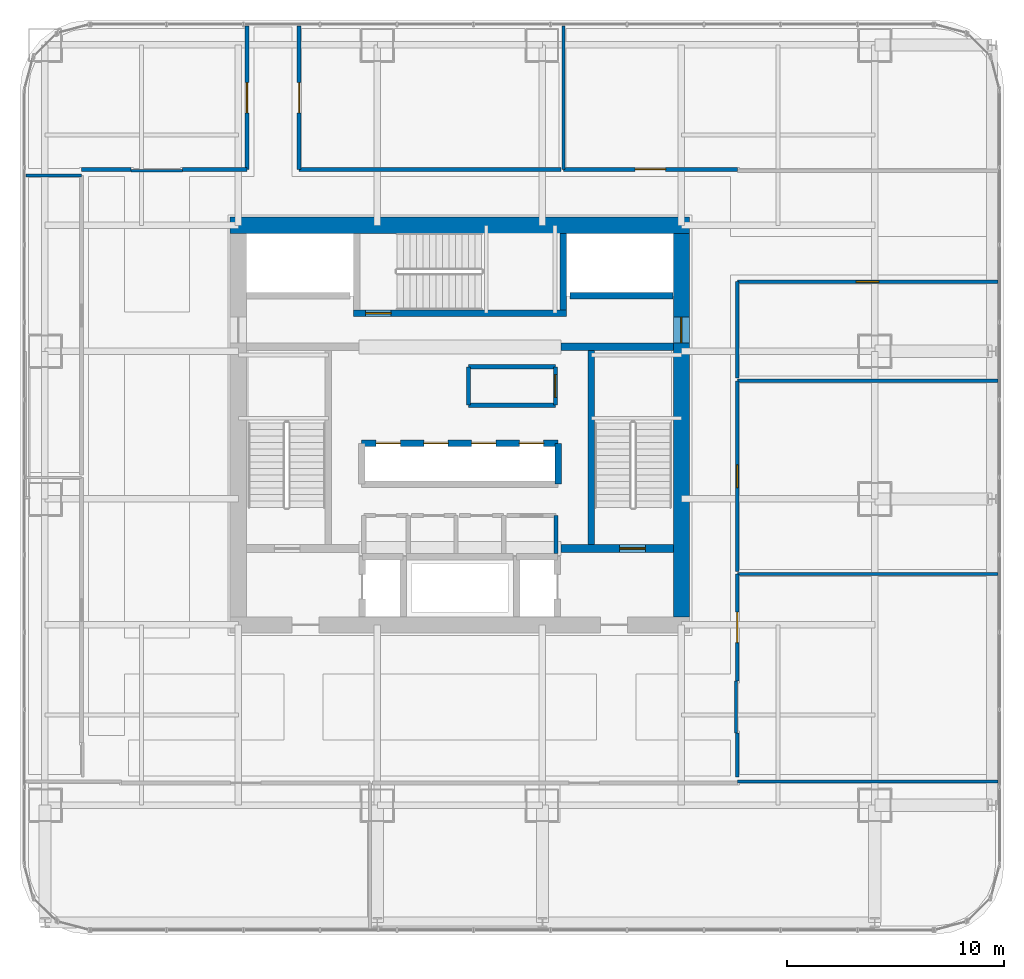
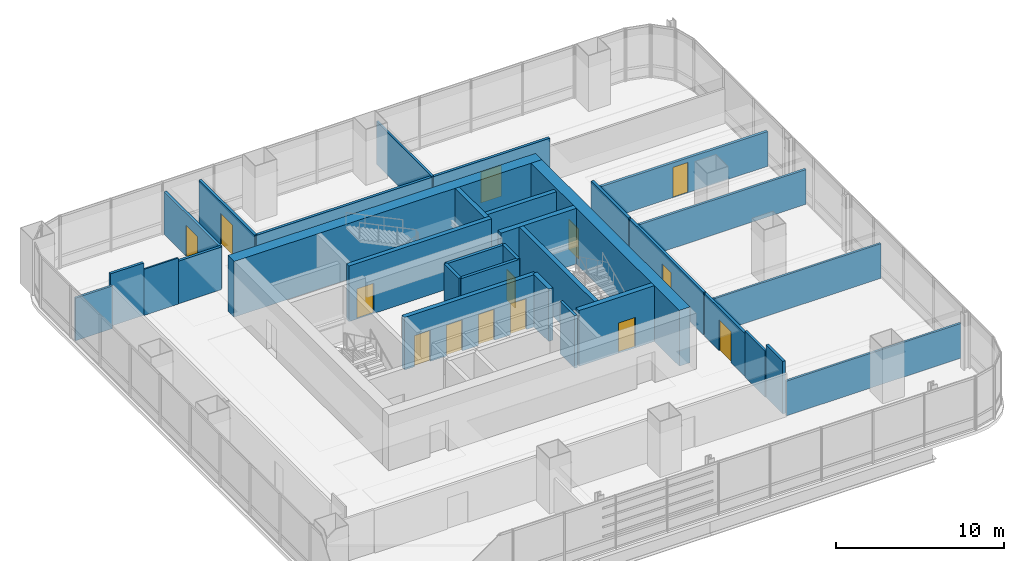
# One storey, part 28 of 35: 33 walls, 14 doors, 14 openings.
"""IFC4 building model written with IfcOpenShell, lengths in metres."""

from ifc_helpers import new_model, si_unit, direction, frame, frame_2d, origin, place, context, subcontext, project, spatial, rectangle, extrude, material, layer, layer_set, type_object, element, fill, save


model = new_model("IFC4")

# Units and contexts
model_context = context("Model", 3, precision=1e-05, world=origin(), true_north=direction((0.0, 1.0)))
body_context = subcontext(model_context, "Body", "Model", "MODEL_VIEW")
ifc_project = project(units=[si_unit("LENGTHUNIT", "METRE"), si_unit("AREAUNIT", "SQUARE_METRE"), si_unit("VOLUMEUNIT", "CUBIC_METRE"), si_unit("PLANEANGLEUNIT", "RADIAN"), si_unit("MASSUNIT", "GRAM", prefix="KILO")], contexts=[model_context])

# Site, building, storey
site_placement = place(None, origin())
site = spatial("IfcSite", under=ifc_project, at=site_placement, CompositionType="ELEMENT")
building_placement = place(site_placement, origin())
building = spatial("IfcBuilding", under=site, at=building_placement, Name="Punatoya Terracotta Tower", CompositionType="ELEMENT")
storey_placement = place(building_placement, frame((0.0, 0.0, 64.64990234375)))
storey = spatial("IfcBuildingStorey", under=building, at=storey_placement, Name="L14", CompositionType="ELEMENT", Elevation=64.64990234375)

# Wall
ifc_material_1 = material(Name="Concrete C60/75", Category="concrete")
ifc_layer_1 = layer(ifc_material_1, 0.75)
ifc_layer_set_1 = layer_set([ifc_layer_1], Name="Concrete C60/75")
wall_type_1 = type_object("IfcWallType", Name="WL-COR-750", PredefinedType="SHEAR", material=ifc_layer_set_1)
wall_1_placement = place(storey_placement, frame((-10.574951171875, 9.199951171875, 0.0), z_axis=(0.0, 0.0, 1.0), x_axis=(1.0, 0.0, 0.0)))
element("IfcWall", 1, at=wall_1_placement, inside=storey, type_object=wall_type_1, Name="L14 Core Shear Wall N", PredefinedType="SHEAR", context=body_context, shape_type="SweptSolid", body=[
    extrude(rectangle(XDim=21.14990234375, YDim=0.75, at=frame_2d((10.574951171875, 0.0))), origin(), (0.0, 0.0, 1.0), 4.050048828125),
])

# Wall, opening, door
wall_2_placement = place(storey_placement, frame((10.199951171875, 8.824951171875, 0.0), z_axis=(0.0, 0.0, 1.0), x_axis=(0.0, -1.0, 0.0)))
wall_2 = element("IfcWall", 2, at=wall_2_placement, inside=storey, type_object=wall_type_1, Name="L14 Core Shear Wall E", PredefinedType="SHEAR", context=body_context, shape_type="SweptSolid", body=[
    extrude(rectangle(XDim=17.64990234375, YDim=0.75, at=frame_2d((8.824951171875, 0.0))), origin(), (0.0, 0.0, 1.0), 4.050048828125),
])
opening_1_placement = place(wall_2_placement, frame((3.85498046875, 0.0, 0.0)))
opening_1 = element("IfcOpeningElement", 3, at=opening_1_placement, cuts=wall_2, Name="Opening SD-01", PredefinedType="OPENING", context=body_context, shape_type="SweptSolid", body=[
    extrude(rectangle(XDim=1.179931640625, YDim=2.199951171875, at=frame_2d((0.58984375, 1.10009765625))), frame((0.0, 0.385009765625, 0.0), z_axis=(0.0, -1.0, 0.0), x_axis=(1.0, 0.0, 0.0)), (0.0, 0.0, 1.0), 0.77001953125),
])
ifc_material_2 = material(Name="Galvanised Steel Pressurized Stair Fire Door", Category="steel")
door_type_1 = type_object("IfcDoorType", Name="DR-STR-1180", OperationType="NOTDEFINED", PredefinedType="DOOR", material=ifc_material_2)
door_1_placement = place(opening_1_placement, origin())
door_1 = element("IfcDoor", 4, at=door_1_placement, inside=storey, type_object=door_type_1, Name="L14 Central Lift Lobby East Fire Door", OperationType="SINGLE_SWING_RIGHT", OverallHeight=2.199951171875, OverallWidth=1.179931640625, PredefinedType="DOOR", context=body_context, shape_type="SweptSolid", body=[
    extrude(rectangle(XDim=1.179931640625, YDim=2.199951171875, at=frame_2d((0.58984375, 1.10009765625))), frame((0.0, 0.02490234375, 0.0), z_axis=(0.0, -1.0, 0.0), x_axis=(1.0, 0.0, 0.0)), (0.0, 0.0, 1.0), 0.050048828125),
])
fill(opening_1, door_1)

# Wall
ifc_material_3 = material(Name="Gypsum Fireboard + Steel Stud", Category="steel")
ifc_layer_2 = layer(ifc_material_3, 0.179931640625)
ifc_layer_set_2 = layer_set([ifc_layer_2], Name="Gypsum Fireboard + Steel Stud")
wall_type_2 = type_object("IfcWallType", Name="WL-CORR-180", PredefinedType="PARTITIONING", material=ifc_layer_set_2)
wall_3_placement = place(storey_placement, frame((4.419921875, -5.89990234375, 0.0), z_axis=(0.0, 0.0, 1.0), x_axis=(0.0, 1.0, 0.0)))
element("IfcWall", 5, at=wall_3_placement, inside=storey, type_object=wall_type_2, Name="L14 Core Reprographics Studio Partition 08", PredefinedType="PARTITIONING", context=body_context, shape_type="SweptSolid", body=[
    extrude(rectangle(XDim=1.739990234375, YDim=0.179931640625, at=frame_2d((0.8701171875, 0.0))), origin(), (0.0, 0.0, 1.0), 3.81005859375),
])

# Wall, opening, door
wall_4_placement = place(storey_placement, frame((12.77001953125, -11.77001953125, 0.0), z_axis=(0.0, 0.0, 1.0), x_axis=(0.0, 1.0, 0.0)))
wall_4 = element("IfcWall", 6, at=wall_4_placement, inside=storey, type_object=wall_type_2, Name="L14 Collaborative Workshop Room Partition 20", PredefinedType="PARTITIONING", context=body_context, shape_type="SweptSolid", body=[
    extrude(rectangle(XDim=4.912109375, YDim=0.179931640625, at=frame_2d((2.4560546875, 0.0))), origin(), (0.0, 0.0, 1.0), 3.10400390625),
])
opening_2_placement = place(wall_4_placement, frame((1.756103515625, 0.0, 0.0)))
opening_2 = element("IfcOpeningElement", 7, at=opening_2_placement, cuts=wall_4, Name="Opening BD-01", PredefinedType="OPENING", context=body_context, shape_type="SweptSolid", body=[
    extrude(rectangle(XDim=1.39990234375, YDim=2.25, at=frame_2d((0.699951171875, 1.125))), frame((0.0, 0.099853515625, 0.0), z_axis=(0.0, -1.0, 0.0), x_axis=(1.0, 0.0, 0.0)), (0.0, 0.0, 1.0), 0.199951171875),
])
ifc_material_4 = material(Name="Bengal Teak Acoustic Leaf")
door_type_2 = type_object("IfcDoorType", Name="DR-BRD-1400", OperationType="NOTDEFINED", PredefinedType="DOOR", material=ifc_material_4)
door_2_placement = place(opening_2_placement, origin())
door_2 = element("IfcDoor", 8, at=door_2_placement, inside=storey, type_object=door_type_2, Name="L14 Collaborative Workshop Room Door", OperationType="SINGLE_SWING_RIGHT", OverallHeight=2.25, OverallWidth=1.39990234375, PredefinedType="DOOR", context=body_context, shape_type="SweptSolid", body=[
    extrude(rectangle(XDim=1.39990234375, YDim=2.25, at=frame_2d((0.699951171875, 1.125))), frame((0.0, 0.02490234375, 0.0), z_axis=(0.0, -1.0, 0.0), x_axis=(1.0, 0.0, 0.0)), (0.0, 0.0, 1.0), 0.050048828125),
])
fill(opening_2, door_2)

# Wall
wall_5_placement = place(storey_placement, frame((12.77001953125, -16.18994140625, 0.0), z_axis=(0.0, 0.0, 1.0), x_axis=(0.0, 1.0, 0.0)))
element("IfcWall", 9, at=wall_5_placement, inside=storey, type_object=wall_type_2, Name="L14 Collaborative Workshop Room Partition 22", PredefinedType="PARTITIONING", context=body_context, shape_type="SweptSolid", body=[
    extrude(rectangle(XDim=2.010009765625, YDim=0.179931640625, at=frame_2d((1.0048828125, 0.0))), origin(), (0.0, 0.0, 1.0), 3.81005859375),
])

# Wall, opening, door
wall_6_placement = place(storey_placement, frame((12.77001953125, -6.738037109375, 0.0), z_axis=(0.0, 0.0, 1.0), x_axis=(0.0, 1.0, 0.0)))
wall_6 = element("IfcWall", 10, at=wall_6_placement, inside=storey, type_object=wall_type_2, Name="L14 Open-Plan Breakout Tea Pantry Partition 27", PredefinedType="PARTITIONING", context=body_context, shape_type="SweptSolid", body=[
    extrude(rectangle(XDim=8.776123046875, YDim=0.179931640625, at=frame_2d((4.38818359375, 0.0))), origin(), (0.0, 0.0, 1.0), 3.10400390625),
])
opening_3_placement = place(wall_6_placement, frame((3.863037109375, 0.0, 0.0)))
opening_3 = element("IfcOpeningElement", 11, at=opening_3_placement, cuts=wall_6, Name="Opening OD-01", PredefinedType="OPENING", context=body_context, shape_type="SweptSolid", body=[
    extrude(rectangle(XDim=1.050048828125, YDim=2.199951171875, at=frame_2d((0.52490234375, 1.10009765625))), frame((0.0, 0.099853515625, 0.0), z_axis=(0.0, -1.0, 0.0), x_axis=(1.0, 0.0, 0.0)), (0.0, 0.0, 1.0), 0.199951171875),
])
ifc_material_5 = material(Name="Bengal Teak Solid-Core Leaf")
door_type_3 = type_object("IfcDoorType", Name="DR-OFF-1050", OperationType="NOTDEFINED", PredefinedType="DOOR", material=ifc_material_5)
door_3_placement = place(opening_3_placement, origin())
door_3 = element("IfcDoor", 12, at=door_3_placement, inside=storey, type_object=door_type_3, Name="L14 Open-Plan Breakout Tea Pantry Door", OperationType="SINGLE_SWING_RIGHT", OverallHeight=2.199951171875, OverallWidth=1.050048828125, PredefinedType="DOOR", context=body_context, shape_type="SweptSolid", body=[
    extrude(rectangle(XDim=1.050048828125, YDim=2.199951171875, at=frame_2d((0.52490234375, 1.10009765625))), frame((0.0, 0.02490234375, 0.0), z_axis=(0.0, -1.0, 0.0), x_axis=(1.0, 0.0, 0.0)), (0.0, 0.0, 1.0), 0.050048828125),
])
fill(opening_3, door_3)

wall_7_placement = place(storey_placement, frame((12.77001953125, 6.60009765625, 0.0), z_axis=(0.0, 0.0, 1.0), x_axis=(1.0, 0.0, 0.0)))
wall_7 = element("IfcWall", 13, at=wall_7_placement, inside=storey, type_object=wall_type_2, Name="L14 Open-Plan Delegate Reception Lounge Partition 28", PredefinedType="PARTITIONING", context=body_context, shape_type="SweptSolid", body=[
    extrude(rectangle(XDim=12.0, YDim=0.179931640625, at=frame_2d((6.0, 0.0))), origin(), (0.0, 0.0, 1.0), 2.524169921875),
])
opening_4_placement = place(wall_7_placement, frame((5.47509765625, 0.0, 0.0)))
opening_4 = element("IfcOpeningElement", 14, at=opening_4_placement, cuts=wall_7, Name="Opening OD-01", PredefinedType="OPENING", context=body_context, shape_type="SweptSolid", body=[
    extrude(rectangle(XDim=1.050048828125, YDim=2.199951171875, at=frame_2d((0.52490234375, 1.10009765625))), frame((0.0, 0.099853515625, 0.0), z_axis=(0.0, -1.0, 0.0), x_axis=(1.0, 0.0, 0.0)), (0.0, 0.0, 1.0), 0.199951171875),
])
door_4_placement = place(opening_4_placement, origin())
door_4 = element("IfcDoor", 15, at=door_4_placement, inside=storey, type_object=door_type_3, Name="L14 Open-Plan Delegate Reception Lounge Door", OperationType="SINGLE_SWING_LEFT", OverallHeight=2.199951171875, OverallWidth=1.050048828125, PredefinedType="DOOR", context=body_context, shape_type="SweptSolid", body=[
    extrude(rectangle(XDim=1.050048828125, YDim=2.199951171875, at=frame_2d((0.52490234375, 1.10009765625))), frame((0.0, 0.02490234375, 0.0), z_axis=(0.0, -1.0, 0.0), x_axis=(1.0, 0.0, 0.0)), (0.0, 0.0, 1.0), 0.050048828125),
])
fill(opening_4, door_4)

# Wall
wall_8_placement = place(storey_placement, frame((12.77001953125, 2.157958984375, 0.0), z_axis=(0.0, 0.0, 1.0), x_axis=(0.0, 1.0, 0.0)))
element("IfcWall", 16, at=wall_8_placement, inside=storey, type_object=wall_type_2, Name="L14 Open-Plan Delegate Reception Lounge Partition 29", PredefinedType="PARTITIONING", context=body_context, shape_type="SweptSolid", body=[
    extrude(rectangle(XDim=4.442138671875, YDim=0.179931640625, at=frame_2d((2.22119140625, 0.0))), origin(), (0.0, 0.0, 1.0), 3.10400390625),
])

# Wall, opening, door
wall_9_placement = place(storey_placement, frame((-9.800048828125, 18.3701171875, 0.0), z_axis=(0.0, 0.0, 1.0), x_axis=(0.0, -1.0, 0.0)))
wall_9 = element("IfcWall", 17, at=wall_9_placement, inside=storey, type_object=wall_type_2, Name="L14 Open-Plan Case-Study Classroom Partition 32", PredefinedType="PARTITIONING", context=body_context, shape_type="SweptSolid", body=[
    extrude(rectangle(XDim=6.60009765625, YDim=0.179931640625, at=frame_2d((3.300048828125, 0.0))), origin(), (0.0, 0.0, 1.0), 3.10400390625),
])
opening_5_placement = place(wall_9_placement, frame((2.60009765625, 0.0, 0.0)))
opening_5 = element("IfcOpeningElement", 18, at=opening_5_placement, cuts=wall_9, Name="Opening BD-01", PredefinedType="OPENING", context=body_context, shape_type="SweptSolid", body=[
    extrude(rectangle(XDim=1.39990234375, YDim=2.25, at=frame_2d((0.699951171875, 1.125))), frame((0.0, 0.099853515625, 0.0), z_axis=(0.0, -1.0, 0.0), x_axis=(1.0, 0.0, 0.0)), (0.0, 0.0, 1.0), 0.199951171875),
])
door_5_placement = place(opening_5_placement, origin())
door_5 = element("IfcDoor", 19, at=door_5_placement, inside=storey, type_object=door_type_2, Name="L14 Open-Plan Case-Study Classroom Door", OperationType="SINGLE_SWING_LEFT", OverallHeight=2.25, OverallWidth=1.39990234375, PredefinedType="DOOR", context=body_context, shape_type="SweptSolid", body=[
    extrude(rectangle(XDim=1.39990234375, YDim=2.25, at=frame_2d((0.699951171875, 1.125))), frame((0.0, 0.02490234375, 0.0), z_axis=(0.0, -1.0, 0.0), x_axis=(1.0, 0.0, 0.0)), (0.0, 0.0, 1.0), 0.050048828125),
])
fill(opening_5, door_5)

# Walls
wall_10_placement = place(storey_placement, frame((-9.800048828125, 11.77001953125, 0.0), z_axis=(0.0, 0.0, 1.0), x_axis=(-1.0, 0.0, 0.0)))
element("IfcWall", 20, at=wall_10_placement, inside=storey, type_object=wall_type_2, Name="L14 Open-Plan Case-Study Classroom Partition 33", PredefinedType="PARTITIONING", context=body_context, shape_type="SweptSolid", body=[
    extrude(rectangle(XDim=2.969970703125, YDim=0.179931640625, at=frame_2d((1.48486328125, 0.0))), origin(), (0.0, 0.0, 1.0), 3.10400390625),
])
wall_11_placement = place(storey_placement, frame((-15.1298828125, 11.77001953125, 0.0), z_axis=(0.0, 0.0, 1.0), x_axis=(-1.0, 0.0, 0.0)))
element("IfcWall", 21, at=wall_11_placement, inside=storey, type_object=wall_type_2, Name="L14 Open-Plan Case-Study Classroom Partition 35", PredefinedType="PARTITIONING", context=body_context, shape_type="SweptSolid", body=[
    extrude(rectangle(XDim=2.2900390625, YDim=0.179931640625, at=frame_2d((1.14501953125, 0.0))), origin(), (0.0, 0.0, 1.0), 3.81005859375),
])

# Wall, opening, door
wall_12_placement = place(storey_placement, frame((12.77001953125, 11.77001953125, 0.0), z_axis=(0.0, 0.0, 1.0), x_axis=(-1.0, 0.0, 0.0)))
wall_12 = element("IfcWall", 22, at=wall_12_placement, inside=storey, type_object=wall_type_2, Name="L14 Open-Plan Symposium Colloquium Room Partition 38", PredefinedType="PARTITIONING", context=body_context, shape_type="SweptSolid", body=[
    extrude(rectangle(XDim=7.9951171875, YDim=0.179931640625, at=frame_2d((3.99755859375, 0.0))), origin(), (0.0, 0.0, 1.0), 3.10400390625),
])
opening_6_placement = place(wall_12_placement, frame((3.297607421875, 0.0, 0.0)))
opening_6 = element("IfcOpeningElement", 23, at=opening_6_placement, cuts=wall_12, Name="Opening BD-01", PredefinedType="OPENING", context=body_context, shape_type="SweptSolid", body=[
    extrude(rectangle(XDim=1.39990234375, YDim=2.25, at=frame_2d((0.699951171875, 1.125))), frame((0.0, 0.099853515625, 0.0), z_axis=(0.0, -1.0, 0.0), x_axis=(1.0, 0.0, 0.0)), (0.0, 0.0, 1.0), 0.199951171875),
])
door_6_placement = place(opening_6_placement, origin())
door_6 = element("IfcDoor", 24, at=door_6_placement, inside=storey, type_object=door_type_2, Name="L14 Open-Plan Symposium Colloquium Room Door", OperationType="SINGLE_SWING_RIGHT", OverallHeight=2.25, OverallWidth=1.39990234375, PredefinedType="DOOR", context=body_context, shape_type="SweptSolid", body=[
    extrude(rectangle(XDim=1.39990234375, YDim=2.25, at=frame_2d((0.699951171875, 1.125))), frame((0.0, 0.02490234375, 0.0), z_axis=(0.0, -1.0, 0.0), x_axis=(1.0, 0.0, 0.0)), (0.0, 0.0, 1.0), 0.050048828125),
])
fill(opening_6, door_6)

wall_13_placement = place(storey_placement, frame((-7.39990234375, 11.77001953125, 0.0), z_axis=(0.0, 0.0, 1.0), x_axis=(0.0, 1.0, 0.0)))
wall_13 = element("IfcWall", 25, at=wall_13_placement, inside=storey, type_object=wall_type_2, Name="L14 Open-Plan Roundtable Conference Room Partition 39", PredefinedType="PARTITIONING", context=body_context, shape_type="SweptSolid", body=[
    extrude(rectangle(XDim=6.60009765625, YDim=0.179931640625, at=frame_2d((3.300048828125, 0.0))), origin(), (0.0, 0.0, 1.0), 3.10400390625),
])
opening_7_placement = place(wall_13_placement, frame((2.60009765625, 0.0, 0.0)))
opening_7 = element("IfcOpeningElement", 26, at=opening_7_placement, cuts=wall_13, Name="Opening BD-01", PredefinedType="OPENING", context=body_context, shape_type="SweptSolid", body=[
    extrude(rectangle(XDim=1.39990234375, YDim=2.25, at=frame_2d((0.699951171875, 1.125))), frame((0.0, 0.099853515625, 0.0), z_axis=(0.0, -1.0, 0.0), x_axis=(1.0, 0.0, 0.0)), (0.0, 0.0, 1.0), 0.199951171875),
])
door_7_placement = place(opening_7_placement, origin())
door_7 = element("IfcDoor", 27, at=door_7_placement, inside=storey, type_object=door_type_2, Name="L14 Open-Plan Roundtable Conference Room Door", OperationType="SINGLE_SWING_LEFT", OverallHeight=2.25, OverallWidth=1.39990234375, PredefinedType="DOOR", context=body_context, shape_type="SweptSolid", body=[
    extrude(rectangle(XDim=1.39990234375, YDim=2.25, at=frame_2d((0.699951171875, 1.125))), frame((0.0, 0.02490234375, 0.0), z_axis=(0.0, -1.0, 0.0), x_axis=(1.0, 0.0, 0.0)), (0.0, 0.0, 1.0), 0.050048828125),
])
fill(opening_7, door_7)

# Walls
wall_14_placement = place(storey_placement, frame((4.655029296875, 11.77001953125, 0.0), z_axis=(0.0, 0.0, 1.0), x_axis=(-1.0, 0.0, 0.0)))
element("IfcWall", 28, at=wall_14_placement, inside=storey, type_object=wall_type_2, Name="L14 Open-Plan Roundtable Conference Room Partition 40", PredefinedType="PARTITIONING", context=body_context, shape_type="SweptSolid", body=[
    extrude(rectangle(XDim=12.054931640625, YDim=0.179931640625, at=frame_2d((6.02734375, 0.0))), origin(), (0.0, 0.0, 1.0), 3.10400390625),
])
ifc_material_6 = material(Name="Aluminium Framed Acoustic Glass Partition", Category="aluminium")
ifc_layer_3 = layer(ifc_material_6, 0.10009765625)
ifc_layer_set_3 = layer_set([ifc_layer_3], Name="Aluminium Framed Acoustic Glass Partition")
wall_type_3 = type_object("IfcWallType", Name="WL-GLZ-100", PredefinedType="PARTITIONING", material=ifc_layer_set_3)
wall_15_placement = place(storey_placement, frame((-12.77001953125, 11.7099609375, 0.0), z_axis=(0.0, 0.0, 1.0), x_axis=(-1.0, 0.0, 0.0)))
element("IfcWall", 29, at=wall_15_placement, inside=storey, type_object=wall_type_3, Name="L14 Open-Plan Case-Study Classroom Partition 34", PredefinedType="PARTITIONING", context=body_context, shape_type="SweptSolid", body=[
    extrude(rectangle(XDim=2.35986328125, YDim=0.10009765625, at=frame_2d((1.179931640625, 0.0))), origin(), (0.0, 0.0, 1.0), 3.35400390625),
])

# Wall, opening, door
ifc_material_7 = material(Name="Concrete C40/50", Category="concrete")
ifc_layer_4 = layer(ifc_material_7, 0.199951171875)
ifc_layer_set_4 = layer_set([ifc_layer_4], Name="Concrete C40/50")
wall_type_4 = type_object("IfcWallType", Name="WL-INT-200", PredefinedType="SOLIDWALL", material=ifc_layer_set_4)
wall_16_placement = place(storey_placement, frame((4.39990234375, 0.919921875, 0.0), z_axis=(0.0, 0.0, 1.0), x_axis=(0.0, 1.0, 0.0)))
wall_16 = element("IfcWall", 30, at=wall_16_placement, inside=storey, type_object=wall_type_4, Name="L14 East Core Tea Pantry Partition 10", PredefinedType="SOLIDWALL", context=body_context, shape_type="SweptSolid", body=[
    extrude(rectangle(XDim=1.760009765625, YDim=0.199951171875, at=frame_2d((0.8798828125, 0.0))), origin(), (0.0, 0.0, 1.0), 3.81005859375),
])
opening_8_placement = place(wall_16_placement, frame((0.35498046875, 0.0, 0.0)))
opening_8 = element("IfcOpeningElement", 31, at=opening_8_placement, cuts=wall_16, Name="Opening OD-01", PredefinedType="OPENING", context=body_context, shape_type="SweptSolid", body=[
    extrude(rectangle(XDim=1.050048828125, YDim=2.199951171875, at=frame_2d((0.52490234375, 1.10009765625))), frame((0.0, 0.10986328125, 0.0), z_axis=(0.0, -1.0, 0.0), x_axis=(1.0, 0.0, 0.0)), (0.0, 0.0, 1.0), 0.219970703125),
])
door_8_placement = place(opening_8_placement, origin())
door_8 = element("IfcDoor", 32, at=door_8_placement, inside=storey, type_object=door_type_3, Name="L14 East Tea Pantry Door", OperationType="SINGLE_SWING_LEFT", OverallHeight=2.199951171875, OverallWidth=1.050048828125, PredefinedType="DOOR", context=body_context, shape_type="SweptSolid", body=[
    extrude(rectangle(XDim=1.050048828125, YDim=2.199951171875, at=frame_2d((0.52490234375, 1.10009765625))), frame((0.0, 0.02490234375, 0.0), z_axis=(0.0, -1.0, 0.0), x_axis=(1.0, 0.0, 0.0)), (0.0, 0.0, 1.0), 0.050048828125),
])
fill(opening_8, door_8)

# Walls
wall_17_placement = place(storey_placement, frame((4.39990234375, 2.679931640625, 0.0), z_axis=(0.0, 0.0, 1.0), x_axis=(-1.0, 0.0, 0.0)))
element("IfcWall", 33, at=wall_17_placement, inside=storey, type_object=wall_type_4, Name="L14 East Core Tea Pantry Partition 11", PredefinedType="SOLIDWALL", context=body_context, shape_type="SweptSolid", body=[
    extrude(rectangle(XDim=4.0, YDim=0.199951171875, at=frame_2d((2.0, 0.0))), origin(), (0.0, 0.0, 1.0), 3.81005859375),
])
wall_18_placement = place(storey_placement, frame((0.39990234375, 2.679931640625, 0.0), z_axis=(0.0, 0.0, 1.0), x_axis=(0.0, -1.0, 0.0)))
element("IfcWall", 34, at=wall_18_placement, inside=storey, type_object=wall_type_4, Name="L14 East Core Tea Pantry Partition 12", PredefinedType="SOLIDWALL", context=body_context, shape_type="SweptSolid", body=[
    extrude(rectangle(XDim=1.760009765625, YDim=0.199951171875, at=frame_2d((0.8798828125, 0.0))), origin(), (0.0, 0.0, 1.0), 3.81005859375),
])
wall_19_placement = place(storey_placement, frame((0.39990234375, 0.919921875, 0.0), z_axis=(0.0, 0.0, 1.0), x_axis=(1.0, 0.0, 0.0)))
element("IfcWall", 35, at=wall_19_placement, inside=storey, type_object=wall_type_4, Name="L14 East Core Tea Pantry Partition 13", PredefinedType="SOLIDWALL", context=body_context, shape_type="SweptSolid", body=[
    extrude(rectangle(XDim=4.0, YDim=0.199951171875, at=frame_2d((2.0, 0.0))), origin(), (0.0, 0.0, 1.0), 3.81005859375),
])
ifc_material_8 = material(Name="Acoustic Gypsum + Steel Stud", Category="steel")
ifc_layer_5 = layer(ifc_material_8, 0.139892578125)
ifc_layer_set_5 = layer_set([ifc_layer_5], Name="Acoustic Gypsum + Steel Stud")
wall_type_5 = type_object("IfcWallType", Name="WL-OFF-140", PredefinedType="PARTITIONING", material=ifc_layer_set_5)
wall_20_placement = place(storey_placement, frame((12.77001953125, -16.409912109375, 0.0), z_axis=(0.0, 0.0, 1.0), x_axis=(1.0, 0.0, 0.0)))
element("IfcWall", 36, at=wall_20_placement, inside=storey, type_object=wall_type_5, Name="L14 Client Strategy Boardroom Partition 18", PredefinedType="PARTITIONING", context=body_context, shape_type="SweptSolid", body=[
    extrude(rectangle(XDim=12.0, YDim=0.139892578125, at=frame_2d((6.0, 0.0))), origin(), (0.0, 0.0, 1.0), 2.524169921875),
])
wall_21_placement = place(storey_placement, frame((12.7099609375, -14.179931640625, 0.0), z_axis=(0.0, 0.0, 1.0), x_axis=(0.0, 1.0, 0.0)))
element("IfcWall", 37, at=wall_21_placement, inside=storey, type_object=wall_type_5, Name="L14 Collaborative Workshop Room Partition 19", PredefinedType="PARTITIONING", context=body_context, shape_type="SweptSolid", body=[
    extrude(rectangle(XDim=2.409912109375, YDim=0.139892578125, at=frame_2d((1.205078125, 0.0))), origin(), (0.0, 0.0, 1.0), 3.35400390625),
])
wall_22_placement = place(storey_placement, frame((12.77001953125, -6.85791015625, 0.0), z_axis=(0.0, 0.0, 1.0), x_axis=(1.0, 0.0, 0.0)))
element("IfcWall", 38, at=wall_22_placement, inside=storey, type_object=wall_type_5, Name="L14 Collaborative Workshop Room Partition 21", PredefinedType="PARTITIONING", context=body_context, shape_type="SweptSolid", body=[
    extrude(rectangle(XDim=12.0, YDim=0.139892578125, at=frame_2d((6.0, 0.0))), origin(), (0.0, 0.0, 1.0), 2.524169921875),
])
wall_23_placement = place(storey_placement, frame((-19.969970703125, 11.489990234375, 0.0), z_axis=(0.0, 0.0, 1.0), x_axis=(1.0, 0.0, 0.0)))
element("IfcWall", 39, at=wall_23_placement, inside=storey, type_object=wall_type_5, Name="L14 Open-Plan Wellness Focus Room Partition 30", PredefinedType="PARTITIONING", context=body_context, shape_type="SweptSolid", body=[
    extrude(rectangle(XDim=2.550048828125, YDim=0.139892578125, at=frame_2d((1.27490234375, 0.0))), origin(), (0.0, 0.0, 1.0), 3.10400390625),
])
wall_24_placement = place(storey_placement, frame((4.77490234375, 11.77001953125, 0.0), z_axis=(0.0, 0.0, 1.0), x_axis=(0.0, 1.0, 0.0)))
element("IfcWall", 40, at=wall_24_placement, inside=storey, type_object=wall_type_5, Name="L14 Open-Plan Symposium Colloquium Room Partition 36", PredefinedType="PARTITIONING", context=body_context, shape_type="SweptSolid", body=[
    extrude(rectangle(XDim=6.60009765625, YDim=0.139892578125, at=frame_2d((3.300048828125, 0.0))), origin(), (0.0, 0.0, 1.0), 3.10400390625),
])
ifc_layer_6 = layer(ifc_material_7, 0.300048828125)
ifc_layer_set_6 = layer_set([ifc_layer_6], Name="Concrete C40/50")
wall_type_6 = type_object("IfcWallType", Name="WL-SHF-300", PredefinedType="SOLIDWALL", material=ifc_layer_set_6)
wall_25_placement = place(storey_placement, frame((6.050048828125, 3.449951171875, 0.0), z_axis=(0.0, 0.0, 1.0), x_axis=(0.0, -1.0, 0.0)))
element("IfcWall", 41, at=wall_25_placement, inside=storey, type_object=wall_type_6, Name="L14 Structural Stair Shaft Wall SW-ST2-W", PredefinedType="SOLIDWALL", context=body_context, shape_type="SweptSolid", body=[
    extrude(rectangle(XDim=8.949951171875, YDim=0.300048828125, at=frame_2d((4.47509765625, 0.0))), origin(), (0.0, 0.0, 1.0), 4.050048828125),
])
wall_26_placement = place(storey_placement, frame((4.75, 8.824951171875, 0.0), z_axis=(0.0, 0.0, 1.0), x_axis=(0.0, -1.0, 0.0)))
element("IfcWall", 42, at=wall_26_placement, inside=storey, type_object=wall_type_6, Name="L14 Structural Stair Shaft Wall SW-ST3-E", PredefinedType="SOLIDWALL", context=body_context, shape_type="SweptSolid", body=[
    extrude(rectangle(XDim=3.52490234375, YDim=0.300048828125, at=frame_2d((1.762451171875, 0.0))), origin(), (0.0, 0.0, 1.0), 4.050048828125),
])

# Wall, opening, door
wall_27_placement = place(storey_placement, frame((-4.89990234375, 5.14990234375, 0.0), z_axis=(0.0, 0.0, 1.0), x_axis=(1.0, 0.0, 0.0)))
wall_27 = element("IfcWall", 43, at=wall_27_placement, inside=storey, type_object=wall_type_6, Name="L14 Structural Stair Shaft Wall SW-ST3-S", PredefinedType="SOLIDWALL", context=body_context, shape_type="SweptSolid", body=[
    extrude(rectangle(XDim=9.7998046875, YDim=0.300048828125, at=frame_2d((4.89990234375, 0.0))), origin(), (0.0, 0.0, 1.0), 4.050048828125),
])
opening_9_placement = place(wall_27_placement, frame((0.56005859375, 0.0, 0.0)))
opening_9 = element("IfcOpeningElement", 44, at=opening_9_placement, cuts=wall_27, Name="Opening SD-01", PredefinedType="OPENING", context=body_context, shape_type="SweptSolid", body=[
    extrude(rectangle(XDim=1.179931640625, YDim=2.199951171875, at=frame_2d((0.58984375, 1.10009765625))), frame((0.0, 0.159912109375, 0.0), z_axis=(0.0, -1.0, 0.0), x_axis=(1.0, 0.0, 0.0)), (0.0, 0.0, 1.0), 0.320068359375),
])
door_9_placement = place(opening_9_placement, origin())
door_9 = element("IfcDoor", 45, at=door_9_placement, inside=storey, type_object=door_type_1, Name="L14 Stair ST-3 Core Lobby Fire Door", OperationType="SINGLE_SWING_LEFT", OverallHeight=2.199951171875, OverallWidth=1.179931640625, PredefinedType="DOOR", context=body_context, shape_type="SweptSolid", body=[
    extrude(rectangle(XDim=1.179931640625, YDim=2.199951171875, at=frame_2d((0.58984375, 1.10009765625))), frame((0.0, 0.02490234375, 0.0), z_axis=(0.0, -1.0, 0.0), x_axis=(1.0, 0.0, 0.0)), (0.0, 0.0, 1.0), 0.050048828125),
])
fill(opening_9, door_9)

# Wall, openings, doors
wall_28_placement = place(storey_placement, frame((-4.52001953125, -0.840087890625, 0.0), z_axis=(0.0, 0.0, 1.0), x_axis=(1.0, 0.0, 0.0)))
wall_28 = element("IfcWall", 46, at=wall_28_placement, inside=storey, type_object=wall_type_6, Name="L14 South Lift Bank Front Shaft Wall", PredefinedType="SOLIDWALL", context=body_context, shape_type="SweptSolid", body=[
    extrude(rectangle(XDim=9.0400390625, YDim=0.300048828125, at=frame_2d((4.52001953125, 0.0))), origin(), (0.0, 0.0, 1.0), 3.81005859375),
])
opening_10_placement = place(wall_28_placement, frame((0.659912109375, 0.0, 0.0)))
opening_10 = element("IfcOpeningElement", 47, at=opening_10_placement, cuts=wall_28, Name="Opening LD-02", PredefinedType="OPENING", context=body_context, shape_type="SweptSolid", body=[
    extrude(rectangle(XDim=1.1201171875, YDim=2.25, at=frame_2d((0.56005859375, 1.125))), frame((0.0, 0.159912109375, 0.0), z_axis=(0.0, -1.0, 0.0), x_axis=(1.0, 0.0, 0.0)), (0.0, 0.0, 1.0), 0.320068359375),
])
opening_11_placement = place(wall_28_placement, frame((2.860107421875, 0.0, 0.0)))
opening_11 = element("IfcOpeningElement", 48, at=opening_11_placement, cuts=wall_28, Name="Opening LD-02", PredefinedType="OPENING", context=body_context, shape_type="SweptSolid", body=[
    extrude(rectangle(XDim=1.1201171875, YDim=2.25, at=frame_2d((0.56005859375, 1.125))), frame((0.0, 0.159912109375, 0.0), z_axis=(0.0, -1.0, 0.0), x_axis=(1.0, 0.0, 0.0)), (0.0, 0.0, 1.0), 0.320068359375),
])
opening_12_placement = place(wall_28_placement, frame((5.06005859375, 0.0, 0.0)))
opening_12 = element("IfcOpeningElement", 49, at=opening_12_placement, cuts=wall_28, Name="Opening LD-02", PredefinedType="OPENING", context=body_context, shape_type="SweptSolid", body=[
    extrude(rectangle(XDim=1.1201171875, YDim=2.25, at=frame_2d((0.56005859375, 1.125))), frame((0.0, 0.159912109375, 0.0), z_axis=(0.0, -1.0, 0.0), x_axis=(1.0, 0.0, 0.0)), (0.0, 0.0, 1.0), 0.320068359375),
])
opening_13_placement = place(wall_28_placement, frame((7.260009765625, 0.0, 0.0)))
opening_13 = element("IfcOpeningElement", 50, at=opening_13_placement, cuts=wall_28, Name="Opening LD-02", PredefinedType="OPENING", context=body_context, shape_type="SweptSolid", body=[
    extrude(rectangle(XDim=1.1201171875, YDim=2.25, at=frame_2d((0.56005859375, 1.125))), frame((0.0, 0.159912109375, 0.0), z_axis=(0.0, -1.0, 0.0), x_axis=(1.0, 0.0, 0.0)), (0.0, 0.0, 1.0), 0.320068359375),
])
ifc_material_9 = material(Name="Stainless Steel Lift Landing Door", Category="steel")
door_type_4 = type_object("IfcDoorType", Name="DR-LND-1120", OperationType="NOTDEFINED", PredefinedType="DOOR", material=ifc_material_9)
door_10_placement = place(opening_10_placement, origin())
door_10 = element("IfcDoor", 51, at=door_10_placement, inside=storey, type_object=door_type_4, Name="L14 Lift PL-L1 Sliding Landing Door", OperationType="DOUBLE_DOOR_SLIDING", OverallHeight=2.25, OverallWidth=1.1201171875, PredefinedType="DOOR", context=body_context, shape_type="SweptSolid", body=[
    extrude(rectangle(XDim=1.1201171875, YDim=2.25, at=frame_2d((0.56005859375, 1.125))), frame((0.0, 0.02490234375, 0.0), z_axis=(0.0, -1.0, 0.0), x_axis=(1.0, 0.0, 0.0)), (0.0, 0.0, 1.0), 0.050048828125),
])
fill(opening_10, door_10)
door_11_placement = place(opening_11_placement, origin())
door_11 = element("IfcDoor", 52, at=door_11_placement, inside=storey, type_object=door_type_4, Name="L14 Lift PL-L2 Sliding Landing Door", OperationType="DOUBLE_DOOR_SLIDING", OverallHeight=2.25, OverallWidth=1.1201171875, PredefinedType="DOOR", context=body_context, shape_type="SweptSolid", body=[
    extrude(rectangle(XDim=1.1201171875, YDim=2.25, at=frame_2d((0.56005859375, 1.125))), frame((0.0, 0.02490234375, 0.0), z_axis=(0.0, -1.0, 0.0), x_axis=(1.0, 0.0, 0.0)), (0.0, 0.0, 1.0), 0.050048828125),
])
fill(opening_11, door_11)
door_12_placement = place(opening_12_placement, origin())
door_12 = element("IfcDoor", 53, at=door_12_placement, inside=storey, type_object=door_type_4, Name="L14 Lift PL-L3 Sliding Landing Door", OperationType="DOUBLE_DOOR_SLIDING", OverallHeight=2.25, OverallWidth=1.1201171875, PredefinedType="DOOR", context=body_context, shape_type="SweptSolid", body=[
    extrude(rectangle(XDim=1.1201171875, YDim=2.25, at=frame_2d((0.56005859375, 1.125))), frame((0.0, 0.02490234375, 0.0), z_axis=(0.0, -1.0, 0.0), x_axis=(1.0, 0.0, 0.0)), (0.0, 0.0, 1.0), 0.050048828125),
])
fill(opening_12, door_12)
door_13_placement = place(opening_13_placement, origin())
door_13 = element("IfcDoor", 54, at=door_13_placement, inside=storey, type_object=door_type_4, Name="L14 Lift PL-L4 Sliding Landing Door", OperationType="DOUBLE_DOOR_SLIDING", OverallHeight=2.25, OverallWidth=1.1201171875, PredefinedType="DOOR", context=body_context, shape_type="SweptSolid", body=[
    extrude(rectangle(XDim=1.1201171875, YDim=2.25, at=frame_2d((0.56005859375, 1.125))), frame((0.0, 0.02490234375, 0.0), z_axis=(0.0, -1.0, 0.0), x_axis=(1.0, 0.0, 0.0)), (0.0, 0.0, 1.0), 0.050048828125),
])
fill(opening_13, door_13)

# Walls
wall_29_placement = place(storey_placement, frame((4.52001953125, -2.719970703125, 0.0), z_axis=(0.0, 0.0, 1.0), x_axis=(0.0, 1.0, 0.0)))
element("IfcWall", 55, at=wall_29_placement, inside=storey, type_object=wall_type_6, Name="L14 South Lift Bank East End Wall", PredefinedType="SOLIDWALL", context=body_context, shape_type="SweptSolid", body=[
    extrude(rectangle(XDim=1.8798828125, YDim=0.300048828125, at=frame_2d((0.93994140625, 0.0))), origin(), (0.0, 0.0, 1.0), 3.81005859375),
])
wall_30_placement = place(storey_placement, frame((5.06005859375, 5.949951171875, 0.0), z_axis=(0.0, 0.0, 1.0), x_axis=(1.0, 0.0, 0.0)))
element("IfcWall", 56, at=wall_30_placement, inside=storey, type_object=wall_type_6, Name="L14 Shuttle SL-2 South Hoistway Wall", PredefinedType="SOLIDWALL", context=body_context, shape_type="SweptSolid", body=[
    extrude(rectangle(XDim=4.760009765625, YDim=0.300048828125, at=frame_2d((2.3798828125, 0.0))), origin(), (0.0, 0.0, 1.0), 3.81005859375),
])

# Wall, opening, door
ifc_material_10 = material(Name="Concrete C50/60", Category="concrete")
ifc_layer_7 = layer(ifc_material_10, 0.35009765625)
ifc_layer_set_7 = layer_set([ifc_layer_7], Name="Concrete C50/60")
wall_type_7 = type_object("IfcWallType", Name="WL-SHF-350", PredefinedType="SOLIDWALL", material=ifc_layer_set_7)
wall_31_placement = place(storey_placement, frame((4.64990234375, -5.679931640625, 0.0), z_axis=(0.0, 0.0, 1.0), x_axis=(1.0, 0.0, 0.0)))
wall_31 = element("IfcWall", 57, at=wall_31_placement, inside=storey, type_object=wall_type_7, Name="L14 Core Web Wall CSW-R", PredefinedType="SOLIDWALL", context=body_context, shape_type="SweptSolid", body=[
    extrude(rectangle(XDim=5.175048828125, YDim=0.35009765625, at=frame_2d((2.58740234375, 0.0))), origin(), (0.0, 0.0, 1.0), 4.050048828125),
])
opening_14_placement = place(wall_31_placement, frame((2.7099609375, 0.0, 0.0)))
opening_14 = element("IfcOpeningElement", 58, at=opening_14_placement, cuts=wall_31, Name="Opening SD-01", PredefinedType="OPENING", context=body_context, shape_type="SweptSolid", body=[
    extrude(rectangle(XDim=1.179931640625, YDim=2.199951171875, at=frame_2d((0.58984375, 1.10009765625))), frame((0.0, 0.18505859375, 0.0), z_axis=(0.0, -1.0, 0.0), x_axis=(1.0, 0.0, 0.0)), (0.0, 0.0, 1.0), 0.3701171875),
])
door_14_placement = place(opening_14_placement, origin())
door_14 = element("IfcDoor", 59, at=door_14_placement, inside=storey, type_object=door_type_1, Name="L14 Stair ST-2 Smokeproof Lobby Fire Door", OperationType="SINGLE_SWING_RIGHT", OverallHeight=2.199951171875, OverallWidth=1.179931640625, PredefinedType="DOOR", context=body_context, shape_type="SweptSolid", body=[
    extrude(rectangle(XDim=1.179931640625, YDim=2.199951171875, at=frame_2d((0.58984375, 1.10009765625))), frame((0.0, 0.02490234375, 0.0), z_axis=(0.0, -1.0, 0.0), x_axis=(1.0, 0.0, 0.0)), (0.0, 0.0, 1.0), 0.050048828125),
])
fill(opening_14, door_14)

# Walls
wall_32_placement = place(storey_placement, frame((4.64990234375, 3.60009765625, 0.0), z_axis=(0.0, 0.0, 1.0), x_axis=(1.0, 0.0, 0.0)))
element("IfcWall", 60, at=wall_32_placement, inside=storey, type_object=wall_type_7, Name="L14 Core Web Wall CNW-R", PredefinedType="SOLIDWALL", context=body_context, shape_type="SweptSolid", body=[
    extrude(rectangle(XDim=5.175048828125, YDim=0.35009765625, at=frame_2d((2.58740234375, 0.0))), origin(), (0.0, 0.0, 1.0), 4.050048828125),
])
ifc_material_11 = material(Name="Masonry Blockwork + Ceramic Tile", Category="masonry")
ifc_layer_8 = layer(ifc_material_11, 0.159912109375)
ifc_layer_set_8 = layer_set([ifc_layer_8], Name="Masonry Blockwork + Ceramic Tile")
wall_type_8 = type_object("IfcWallType", Name="WL-WET-160", PredefinedType="PARTITIONING", material=ifc_layer_set_8)
wall_33_placement = place(storey_placement, frame((12.77001953125, 2.0380859375, 0.0), z_axis=(0.0, 0.0, 1.0), x_axis=(1.0, 0.0, 0.0)))
element("IfcWall", 61, at=wall_33_placement, inside=storey, type_object=wall_type_8, Name="L14 Open-Plan Breakout Tea Pantry Partition 26", PredefinedType="PARTITIONING", context=body_context, shape_type="SweptSolid", body=[
    extrude(rectangle(XDim=12.0, YDim=0.159912109375, at=frame_2d((6.0, 0.0))), origin(), (0.0, 0.0, 1.0), 2.524169921875),
])

save(model, "model.ifc")
